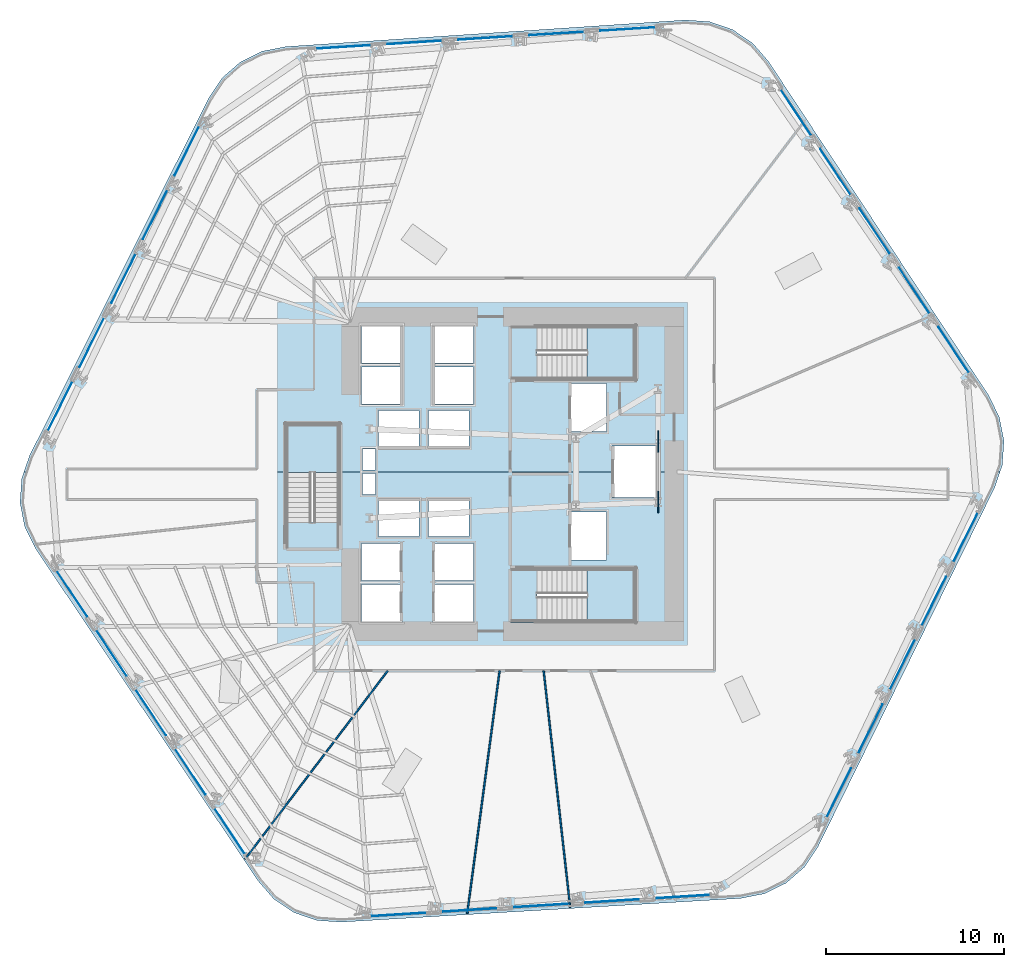
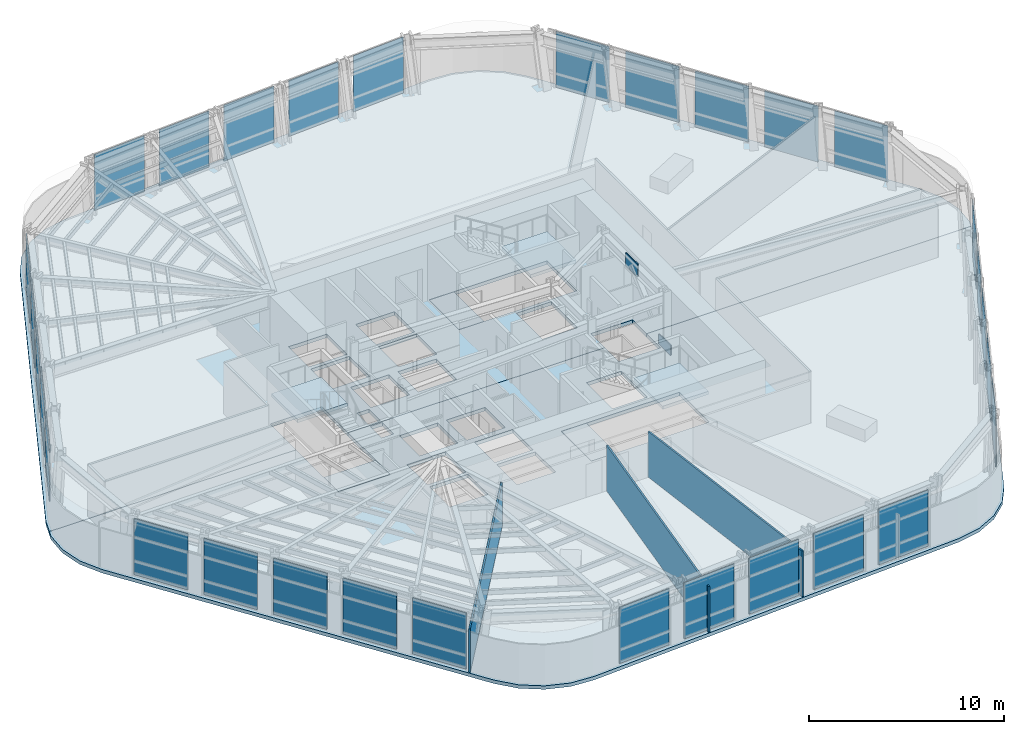
# One storey, part 7 of 15: 32 plates, 8 slabs, 3 walls, 9 elements without a shape of their own.
"""IFC4 building model written with IfcOpenShell, lengths in metres."""

import ifcopenshell
import ifcopenshell.guid

model = None  # the IFC model being written
_history = None  # IfcOwnerHistory: only IFC2X3 demands one
_inside = {}  # id of a spatial element -> (the spatial element, [elements in it])
_under = {}  # id of a project, library or spatial element -> (it, [spatial elements below it])
_declared = {}  # id of a project -> (the project, [libraries it declares])
_typed = {}  # id of a type object -> (the type object, [elements of that type])
_made_of = {}  # id of a material, layer set ... -> (it, [elements and type objects made of it])


def new_model(schema):
    """Start an empty IFC model of exactly this schema.

    Asked for "IFC4X3", IfcOpenShell would pick the latest addendum, in which some entities
    have other attributes; the version numbers below select the first issue.
    IFC2X3 requires an IfcOwnerHistory on every rooted entity: one is made here for all.
    """
    global model, _history
    if schema == "IFC4X3":
        model = ifcopenshell.file(schema_version=(4, 3, 0, 0))
    else:
        model = ifcopenshell.file(schema=schema)
    _inside.clear()
    _under.clear()
    _declared.clear()
    _typed.clear()
    _made_of.clear()
    _history = None
    if model.schema == "IFC2X3":
        org = make("IfcOrganization", Name="unknown")
        user = make(
            "IfcPersonAndOrganization",
            ThePerson=make("IfcPerson", FamilyName="unknown"),
            TheOrganization=org,
        )
        app = make(
            "IfcApplication",
            ApplicationDeveloper=org,
            Version="unknown",
            ApplicationFullName="unknown",
            ApplicationIdentifier="unknown",
        )
        _history = make(
            "IfcOwnerHistory",
            OwningUser=user,
            OwningApplication=app,
            ChangeAction="ADDED",
            CreationDate=0,
        )
    return model


def make(cls, **values):
    """One entity of the class cls with the attributes given. An attribute that is None is left unset."""
    return model.create_entity(
        cls, **{name: value for name, value in values.items() if value is not None}
    )


def rooted(cls, **values):
    """An entity with a GlobalId (a new one), such as an element, a storey or a relation."""
    return make(cls, GlobalId=ifcopenshell.guid.new(), OwnerHistory=_history, **values)


def si_unit(unit_type, name, prefix=None):
    """IfcSIUnit, for example si_unit("LENGTHUNIT", "METRE", prefix="MILLI")."""
    return make("IfcSIUnit", UnitType=unit_type, Prefix=prefix, Name=name)


def assignment(units):
    """IfcUnitAssignment: the units of a project."""
    return None if units is None else make("IfcUnitAssignment", Units=units)


def point(xyz):
    """IfcCartesianPoint."""
    return None if xyz is None else make("IfcCartesianPoint", Coordinates=xyz)


def direction(xyz):
    """IfcDirection."""
    return None if xyz is None else make("IfcDirection", DirectionRatios=xyz)


def frame(location, z_axis=None, x_axis=None):
    """IfcAxis2Placement3D, a coordinate frame: its origin and axes. An axis left out is left unset."""
    return make(
        "IfcAxis2Placement3D",
        Location=point(location),
        Axis=direction(z_axis),
        RefDirection=direction(x_axis),
    )


def frame_2d(location, x_axis=None):
    """IfcAxis2Placement2D, a coordinate frame in the plane: its origin and x axis."""
    return make(
        "IfcAxis2Placement2D", Location=point(location), RefDirection=direction(x_axis)
    )


def origin():
    """The frame at (0, 0, 0) with its axes left unset."""
    return frame((0.0, 0.0, 0.0))


def origin_2d():
    """The frame at (0, 0) in the plane with its x axis left unset."""
    return frame_2d((0.0, 0.0))


def place(relative_to, where):
    """IfcLocalPlacement: puts the frame where relative to a parent placement (None: the world)."""
    return make(
        "IfcLocalPlacement", PlacementRelTo=relative_to, RelativePlacement=where
    )


def context(
    kind, dimensions, precision=None, world=None, true_north=None, identifier=None
):
    """IfcGeometricRepresentationContext, for example the 3D "Model" context."""
    return make(
        "IfcGeometricRepresentationContext",
        ContextIdentifier=identifier,
        ContextType=kind,
        CoordinateSpaceDimension=dimensions,
        Precision=precision,
        WorldCoordinateSystem=world,
        TrueNorth=true_north,
    )


def subcontext(parent, identifier, kind, view, scale=None):
    """IfcGeometricRepresentationSubContext, for example "Body" below "Model"."""
    return make(
        "IfcGeometricRepresentationSubContext",
        ContextIdentifier=identifier,
        ContextType=kind,
        ParentContext=parent,
        TargetScale=scale,
        TargetView=view,
    )


def project(units=None, contexts=None):
    """IfcProject with its units and contexts."""
    return rooted(
        "IfcProject",
        Name="project",
        RepresentationContexts=contexts,
        UnitsInContext=assignment(units),
    )


def spatial(cls, under=None, at=None, **own):
    """A site, building, storey or space (cls), placed at a placement, below another one or the project."""
    s = rooted(cls, ObjectPlacement=at, **own)
    if under is not None:
        _under.setdefault(under.id(), (under, []))[1].append(s)
    return s


def polyline(points):
    """IfcPolyline through the points."""
    return make("IfcPolyline", Points=[point(p) for p in points])


def profile(cls, at=None, kind="AREA", **sizes):
    """A parametric profile (cls). Its sizes go by their IFC names, for example OverallWidth=200.0."""
    return make(cls, ProfileType=kind, Position=at, **sizes)


def rectangle(**sizes):
    """IfcRectangleProfileDef."""
    return profile("IfcRectangleProfileDef", **sizes)


def outline(outer, holes=None, kind="AREA"):
    """IfcArbitraryClosedProfileDef: a profile drawn as a closed curve; with holes, ...WithVoids."""
    if holes is None:
        return make("IfcArbitraryClosedProfileDef", ProfileType=kind, OuterCurve=outer)
    return make(
        "IfcArbitraryProfileDefWithVoids",
        ProfileType=kind,
        OuterCurve=outer,
        InnerCurves=holes,
    )


def extrude(swept, where, along, depth):
    """IfcExtrudedAreaSolid: the profile swept, set in the frame where, extruded along a direction by depth."""
    return make(
        "IfcExtrudedAreaSolid",
        SweptArea=swept,
        Position=where,
        ExtrudedDirection=direction(along),
        Depth=depth,
    )


def shape(context_of_items, identifier, shape_type, items):
    """IfcShapeRepresentation: the items that make up one representation, for example the "Body"."""
    return make(
        "IfcShapeRepresentation",
        ContextOfItems=context_of_items,
        RepresentationIdentifier=identifier,
        RepresentationType=shape_type,
        Items=items,
    )


def material(Name=None, Category=None):
    """IfcMaterial."""
    return make("IfcMaterial", Name=Name, Category=Category)


def layer(
    of_material, thickness, ventilated=None, Name=None, Category=None, Priority=None
):
    """IfcMaterialLayer: one layer of a wall or slab, of a material (None: an air gap)."""
    return make(
        "IfcMaterialLayer",
        Material=of_material,
        LayerThickness=thickness,
        IsVentilated=ventilated,
        Name=Name,
        Category=Category,
        Priority=Priority,
    )


def layer_set(layers, Name=None):
    """IfcMaterialLayerSet."""
    return make("IfcMaterialLayerSet", MaterialLayers=layers, LayerSetName=Name)


def made_of(thing, what):
    """Note that an element or type object is made of a material, layer set ...; save() writes the relation."""
    if what is not None:
        _made_of.setdefault(what.id(), (what, []))[1].append(thing)
    return thing


def type_object(cls, material=None, **own):
    """A type object (cls), such as IfcWallType, which elements share."""
    return made_of(rooted(cls, **own), material)


def element(
    cls,
    number,
    at=None,
    inside=None,
    cuts=None,
    type_object=None,
    material=None,
    context=None,
    identifier="Body",
    shape_type=None,
    held_by="IfcProductDefinitionShape",
    body=None,
    shapes=None,
    **own,
):
    """One element of the class cls, such as IfcWall. Its Tag is "e" and its number.

    at: its placement. inside: the storey or other place that contains it. cuts: it is an
    opening in that element (IfcRelVoidsElement). A single representation is given by context,
    identifier, shape_type and body (its items); several are given by shapes. held_by: the class
    of the entity that holds the representations. save() writes the other relations.
    """
    e = rooted(cls, Tag="e%d" % number, ObjectPlacement=at, **own)
    if body is not None:
        shapes = [shape(context, identifier, shape_type, body)]
    if shapes is not None:
        e.Representation = make(held_by, Representations=shapes)
    if inside is not None:
        _inside.setdefault(inside.id(), (inside, []))[1].append(e)
    if cuts is not None:
        rooted(
            "IfcRelVoidsElement", RelatingBuildingElement=cuts, RelatedOpeningElement=e
        )
    if type_object is not None:
        _typed.setdefault(type_object.id(), (type_object, []))[1].append(e)
    return made_of(e, material)


def aggregate(whole, parts):
    """IfcRelAggregates: a whole, such as a stair, and the parts it consists of."""
    return rooted("IfcRelAggregates", RelatingObject=whole, RelatedObjects=parts)


def save(model, path):
    """Write the relations noted so far, then the file.

    IfcRelAggregates (storeys below a building ...), IfcRelContainedInSpatialStructure (elements
    in a storey), IfcRelDefinesByType, IfcRelAssociatesMaterial and IfcRelDeclares: one each for
    every whole, place, type object, material and project.
    """
    for whole, parts in _under.values():
        aggregate(whole, parts)
    for where, things in _inside.values():
        rooted(
            "IfcRelContainedInSpatialStructure",
            RelatedElements=things,
            RelatingStructure=where,
        )
    for kind, things in _typed.values():
        rooted("IfcRelDefinesByType", RelatedObjects=things, RelatingType=kind)
    for what, things in _made_of.values():
        rooted("IfcRelAssociatesMaterial", RelatedObjects=things, RelatingMaterial=what)
    for by, libraries in _declared.values():
        rooted("IfcRelDeclares", RelatingContext=by, RelatedDefinitions=libraries)
    model.write(path)


model = new_model("IFC4")

# Units and contexts
model_context = context("Model", 3, precision=1e-05, world=origin(), true_north=direction((0.0, 1.0)))
body_context = subcontext(model_context, "Body", "Model", "MODEL_VIEW")
ifc_project = project(units=[si_unit("LENGTHUNIT", "METRE"), si_unit("AREAUNIT", "SQUARE_METRE"), si_unit("VOLUMEUNIT", "CUBIC_METRE"), si_unit("PLANEANGLEUNIT", "RADIAN"), si_unit("MASSUNIT", "GRAM", prefix="KILO")], contexts=[model_context])

# Site, building, storey
site_placement = place(None, origin())
site = spatial("IfcSite", under=ifc_project, at=site_placement, CompositionType="ELEMENT")
building_placement = place(site_placement, origin())
building = spatial("IfcBuilding", under=site, at=building_placement, Name="Valkerne Bourse Tower", CompositionType="ELEMENT")
storey_placement = place(building_placement, frame((0.0, 0.0, 39.199951171875)))
storey = spatial("IfcBuildingStorey", under=building, at=storey_placement, Name="L09", CompositionType="ELEMENT", Elevation=39.199951171875)

# Curtain wall, plates
ifc_material_1 = material(Name="Aluminium AA 6063-T6", Category="aluminium")
ifc_layer_1 = layer(ifc_material_1, 0.22509765625)
ifc_layer_set_1 = layer_set([ifc_layer_1], Name="Aluminium AA 6063-T6")
curtain_wall_type = type_object("IfcCurtainWallType", Name="CW-01", PredefinedType="NOTDEFINED", material=ifc_layer_set_1)
curtain_wall_1_placement = place(storey_placement, origin())
curtain_wall_1 = element("IfcCurtainWall", 1, at=curtain_wall_1_placement, inside=storey, type_object=curtain_wall_type, Name="L09 Hexagonal Stick Curtain Wall Face 1", PredefinedType="NOTDEFINED")
ifc_material_2 = material(Name="Glass IGU Low-E Double Glazed", Category="glass")
ifc_layer_2 = layer(ifc_material_2, 0.031982421875)
ifc_layer_set_2 = layer_set([ifc_layer_2], Name="Glass IGU Low-E Double Glazed")
plate_type_1 = type_object("IfcPlateType", Name="CW-PNL-IGU-32", PredefinedType="CURTAIN_PANEL", material=ifc_layer_set_2)
plate_1_placement = place(storey_placement, frame((71.52294921875, 33.830810546875, 0.030029296875), z_axis=(0.0, 0.0, 1.0), x_axis=(-0.553377022495, 0.832930892076, 0.0)))
plate_1 = element("IfcPlate", 2, at=plate_1_placement, type_object=plate_type_1, Name="CW-L09-F1 Curtain Panel 00", PredefinedType="CURTAIN_PANEL", context=body_context, shape_type="SweptSolid", body=[
    extrude(rectangle(XDim=3.075927734375, YDim=0.031982421875, at=origin_2d()), origin(), (0.0, 0.0, 1.0), 3.52001953125),
])
plate_2_placement = place(storey_placement, frame((69.3115234375, 37.158935546875, 0.030029296875), z_axis=(0.0, 0.0, 1.0), x_axis=(-0.553405918649, 0.832911693521, 0.0)))
plate_2 = element("IfcPlate", 3, at=plate_2_placement, type_object=plate_type_1, Name="CW-L09-F1 Curtain Panel 01", PredefinedType="CURTAIN_PANEL", context=body_context, shape_type="SweptSolid", body=[
    extrude(rectangle(XDim=3.075927734375, YDim=0.031982421875, at=origin_2d()), origin(), (0.0, 0.0, 1.0), 3.52001953125),
])
plate_3_placement = place(storey_placement, frame((67.10009765625, 40.4873046875, 0.030029296875), z_axis=(0.0, 0.0, 1.0), x_axis=(-0.553377022495, 0.832930892076, 0.0)))
plate_3 = element("IfcPlate", 4, at=plate_3_placement, type_object=plate_type_1, Name="CW-L09-F1 Curtain Panel 02", PredefinedType="CURTAIN_PANEL", context=body_context, shape_type="SweptSolid", body=[
    extrude(rectangle(XDim=3.075927734375, YDim=0.031982421875, at=origin_2d()), origin(), (0.0, 0.0, 1.0), 3.52001953125),
])
plate_4_placement = place(storey_placement, frame((64.888916015625, 43.815673828125, 0.030029296875), z_axis=(0.0, 0.0, 1.0), x_axis=(-0.553405918649, 0.832911693521, 0.0)))
plate_4 = element("IfcPlate", 5, at=plate_4_placement, type_object=plate_type_1, Name="CW-L09-F1 Curtain Panel 03", PredefinedType="CURTAIN_PANEL", context=body_context, shape_type="SweptSolid", body=[
    extrude(rectangle(XDim=3.075927734375, YDim=0.031982421875, at=origin_2d()), origin(), (0.0, 0.0, 1.0), 3.52001953125),
])
plate_5_placement = place(storey_placement, frame((62.677490234375, 47.14404296875, 0.030029296875), z_axis=(0.0, 0.0, 1.0), x_axis=(-0.553377022495, 0.832930892076, 0.0)))
plate_5 = element("IfcPlate", 6, at=plate_5_placement, type_object=plate_type_1, Name="CW-L09-F1 Curtain Panel 04", PredefinedType="CURTAIN_PANEL", context=body_context, shape_type="SweptSolid", body=[
    extrude(rectangle(XDim=3.075927734375, YDim=0.031982421875, at=origin_2d()), origin(), (0.0, 0.0, 1.0), 3.52001953125),
])
aggregate(curtain_wall_1, [plate_1, plate_2, plate_3, plate_4, plate_5])

curtain_wall_2_placement = place(storey_placement, origin())
curtain_wall_2 = element("IfcCurtainWall", 7, at=curtain_wall_2_placement, inside=storey, type_object=curtain_wall_type, Name="L09 Hexagonal Stick Curtain Wall Face 2", PredefinedType="NOTDEFINED")
plate_6_placement = place(storey_placement, frame((53.245849609375, 51.825927734375, 0.030029296875), z_axis=(0.0, 0.0, 1.0), x_axis=(-0.998025316519, -0.062812957155, 0.0)))
plate_6 = element("IfcPlate", 8, at=plate_6_placement, type_object=plate_type_1, Name="CW-L09-F2 Curtain Panel 00", PredefinedType="CURTAIN_PANEL", context=body_context, shape_type="SweptSolid", body=[
    extrude(rectangle(XDim=3.075927734375, YDim=0.031982421875, at=origin_2d()), origin(), (0.0, 0.0, 1.0), 3.52001953125),
])
plate_7_placement = place(storey_placement, frame((49.2578125, 51.574951171875, 0.030029296875), z_axis=(0.0, 0.0, 1.0), x_axis=(-0.998026885005, -0.062788030758, 0.0)))
plate_7 = element("IfcPlate", 9, at=plate_7_placement, type_object=plate_type_1, Name="CW-L09-F2 Curtain Panel 01", PredefinedType="CURTAIN_PANEL", context=body_context, shape_type="SweptSolid", body=[
    extrude(rectangle(XDim=3.075927734375, YDim=0.031982421875, at=origin_2d()), origin(), (0.0, 0.0, 1.0), 3.52001953125),
])
plate_8_placement = place(storey_placement, frame((45.26953125, 51.32421875, 0.030029296875), z_axis=(0.0, 0.0, 1.0), x_axis=(-0.99802698366, -0.062786462608, 0.0)))
plate_8 = element("IfcPlate", 10, at=plate_8_placement, type_object=plate_type_1, Name="CW-L09-F2 Curtain Panel 02", PredefinedType="CURTAIN_PANEL", context=body_context, shape_type="SweptSolid", body=[
    extrude(rectangle(XDim=3.076171875, YDim=0.031982421875, at=origin_2d()), origin(), (0.0, 0.0, 1.0), 3.52001953125),
])
plate_9_placement = place(storey_placement, frame((41.281494140625, 51.0732421875, 0.030029296875), z_axis=(0.0, 0.0, 1.0), x_axis=(-0.998026885005, -0.062788030758, 0.0)))
plate_9 = element("IfcPlate", 11, at=plate_9_placement, type_object=plate_type_1, Name="CW-L09-F2 Curtain Panel 03", PredefinedType="CURTAIN_PANEL", context=body_context, shape_type="SweptSolid", body=[
    extrude(rectangle(XDim=3.075927734375, YDim=0.031982421875, at=origin_2d()), origin(), (0.0, 0.0, 1.0), 3.52001953125),
])
plate_10_placement = place(storey_placement, frame((37.29345703125, 50.822265625, 0.030029296875), z_axis=(0.0, 0.0, 1.0), x_axis=(-0.998026885005, -0.062788030758, 0.0)))
plate_10 = element("IfcPlate", 12, at=plate_10_placement, type_object=plate_type_1, Name="CW-L09-F2 Curtain Panel 04", PredefinedType="CURTAIN_PANEL", context=body_context, shape_type="SweptSolid", body=[
    extrude(rectangle(XDim=3.075927734375, YDim=0.031982421875, at=origin_2d()), origin(), (0.0, 0.0, 1.0), 3.52001953125),
])
aggregate(curtain_wall_2, [plate_6, plate_7, plate_8, plate_9, plate_10])

curtain_wall_3_placement = place(storey_placement, origin())
curtain_wall_3 = element("IfcCurtainWall", 13, at=curtain_wall_3_placement, inside=storey, type_object=curtain_wall_type, Name="L09 Hexagonal Stick Curtain Wall Face 3", PredefinedType="NOTDEFINED")
plate_11_placement = place(storey_placement, frame((28.52294921875, 44.995361328125, 0.030029296875), z_axis=(0.0, 0.0, 1.0), x_axis=(-0.444649171351, -0.895704814332, 0.0)))
plate_11 = element("IfcPlate", 14, at=plate_11_placement, type_object=plate_type_1, Name="CW-L09-F3 Curtain Panel 00", PredefinedType="CURTAIN_PANEL", context=body_context, shape_type="SweptSolid", body=[
    extrude(rectangle(XDim=3.075927734375, YDim=0.031982421875, at=origin_2d()), origin(), (0.0, 0.0, 1.0), 3.52001953125),
])
plate_12_placement = place(storey_placement, frame((26.746337890625, 41.416015625, 0.030029296875), z_axis=(0.0, 0.0, 1.0), x_axis=(-0.444619127058, -0.895719728405, 0.0)))
plate_12 = element("IfcPlate", 15, at=plate_12_placement, type_object=plate_type_1, Name="CW-L09-F3 Curtain Panel 01", PredefinedType="CURTAIN_PANEL", context=body_context, shape_type="SweptSolid", body=[
    extrude(rectangle(XDim=3.075927734375, YDim=0.031982421875, at=origin_2d()), origin(), (0.0, 0.0, 1.0), 3.52001953125),
])
plate_13_placement = place(storey_placement, frame((24.969482421875, 37.836669921875, 0.030029296875), z_axis=(0.0, 0.0, 1.0), x_axis=(-0.444639204615, -0.895709761987, 0.0)))
plate_13 = element("IfcPlate", 16, at=plate_13_placement, type_object=plate_type_1, Name="CW-L09-F3 Curtain Panel 02", PredefinedType="CURTAIN_PANEL", context=body_context, shape_type="SweptSolid", body=[
    extrude(rectangle(XDim=3.075927734375, YDim=0.031982421875, at=origin_2d()), origin(), (0.0, 0.0, 1.0), 3.52001953125),
])
plate_14_placement = place(storey_placement, frame((23.19287109375, 34.257568359375, 0.030029296875), z_axis=(0.0, 0.0, 1.0), x_axis=(-0.444649171351, -0.895704814332, 0.0)))
plate_14 = element("IfcPlate", 17, at=plate_14_placement, type_object=plate_type_1, Name="CW-L09-F3 Curtain Panel 03", PredefinedType="CURTAIN_PANEL", context=body_context, shape_type="SweptSolid", body=[
    extrude(rectangle(XDim=3.075927734375, YDim=0.031982421875, at=origin_2d()), origin(), (0.0, 0.0, 1.0), 3.52001953125),
])
plate_15_placement = place(storey_placement, frame((21.416015625, 30.67822265625, 0.030029296875), z_axis=(0.0, 0.0, 1.0), x_axis=(-0.444619127058, -0.895719728405, 0.0)))
plate_15 = element("IfcPlate", 18, at=plate_15_placement, type_object=plate_type_1, Name="CW-L09-F3 Curtain Panel 04", PredefinedType="CURTAIN_PANEL", context=body_context, shape_type="SweptSolid", body=[
    extrude(rectangle(XDim=3.075927734375, YDim=0.031982421875, at=origin_2d()), origin(), (0.0, 0.0, 1.0), 3.52001953125),
])
aggregate(curtain_wall_3, [plate_11, plate_12, plate_13, plate_14, plate_15])

curtain_wall_4_placement = place(storey_placement, origin())
curtain_wall_4 = element("IfcCurtainWall", 19, at=curtain_wall_4_placement, inside=storey, type_object=curtain_wall_type, Name="L09 Hexagonal Stick Curtain Wall Face 4", PredefinedType="NOTDEFINED")
plate_16_placement = place(storey_placement, frame((22.0771484375, 20.16943359375, 0.030029296875), z_axis=(0.0, 0.0, 1.0), x_axis=(0.553377022495, -0.832930892076, 0.0)))
plate_16 = element("IfcPlate", 20, at=plate_16_placement, type_object=plate_type_1, Name="CW-L09-F4 Curtain Panel 00", PredefinedType="CURTAIN_PANEL", context=body_context, shape_type="SweptSolid", body=[
    extrude(rectangle(XDim=3.075927734375, YDim=0.031982421875, at=origin_2d()), origin(), (0.0, 0.0, 1.0), 3.52001953125),
])
plate_17_placement = place(storey_placement, frame((24.28857421875, 16.841064453125, 0.030029296875), z_axis=(0.0, 0.0, 1.0), x_axis=(0.553405918649, -0.832911693521, 0.0)))
plate_17 = element("IfcPlate", 21, at=plate_17_placement, type_object=plate_type_1, Name="CW-L09-F4 Curtain Panel 01", PredefinedType="CURTAIN_PANEL", context=body_context, shape_type="SweptSolid", body=[
    extrude(rectangle(XDim=3.075927734375, YDim=0.031982421875, at=origin_2d()), origin(), (0.0, 0.0, 1.0), 3.52001953125),
])
plate_18_placement = place(storey_placement, frame((26.5, 13.5126953125, 0.030029296875), z_axis=(0.0, 0.0, 1.0), x_axis=(0.553377022495, -0.832930892076, 0.0)))
plate_18 = element("IfcPlate", 22, at=plate_18_placement, type_object=plate_type_1, Name="CW-L09-F4 Curtain Panel 02", PredefinedType="CURTAIN_PANEL", context=body_context, shape_type="SweptSolid", body=[
    extrude(rectangle(XDim=3.075927734375, YDim=0.031982421875, at=origin_2d()), origin(), (0.0, 0.0, 1.0), 3.52001953125),
])
plate_19_placement = place(storey_placement, frame((28.711181640625, 10.184326171875, 0.030029296875), z_axis=(0.0, 0.0, 1.0), x_axis=(0.553405918649, -0.832911693521, 0.0)))
plate_19 = element("IfcPlate", 23, at=plate_19_placement, type_object=plate_type_1, Name="CW-L09-F4 Curtain Panel 03", PredefinedType="CURTAIN_PANEL", context=body_context, shape_type="SweptSolid", body=[
    extrude(rectangle(XDim=3.075927734375, YDim=0.031982421875, at=origin_2d()), origin(), (0.0, 0.0, 1.0), 3.52001953125),
])
plate_20_placement = place(storey_placement, frame((30.922607421875, 6.85595703125, 0.030029296875), z_axis=(0.0, 0.0, 1.0), x_axis=(0.553377022495, -0.832930892076, 0.0)))
plate_20 = element("IfcPlate", 24, at=plate_20_placement, type_object=plate_type_1, Name="CW-L09-F4 Curtain Panel 04", PredefinedType="CURTAIN_PANEL", context=body_context, shape_type="SweptSolid", body=[
    extrude(rectangle(XDim=3.075927734375, YDim=0.031982421875, at=origin_2d()), origin(), (0.0, 0.0, 1.0), 3.52001953125),
])
aggregate(curtain_wall_4, [plate_16, plate_17, plate_18, plate_19, plate_20])

curtain_wall_5_placement = place(storey_placement, origin())
curtain_wall_5 = element("IfcCurtainWall", 25, at=curtain_wall_5_placement, inside=storey, type_object=curtain_wall_type, Name="L09 Hexagonal Stick Curtain Wall Face 5", PredefinedType="NOTDEFINED")
plate_21_placement = place(storey_placement, frame((40.35400390625, 2.174072265625, 0.030029296875), z_axis=(0.0, 0.0, 1.0), x_axis=(0.998025316519, 0.062812957155, 0.0)))
plate_21 = element("IfcPlate", 26, at=plate_21_placement, type_object=plate_type_1, Name="CW-L09-F5 Curtain Panel 00", PredefinedType="CURTAIN_PANEL", context=body_context, shape_type="SweptSolid", body=[
    extrude(rectangle(XDim=3.075927734375, YDim=0.031982421875, at=origin_2d()), origin(), (0.0, 0.0, 1.0), 3.52001953125),
])
plate_22_placement = place(storey_placement, frame((44.34228515625, 2.425048828125, 0.030029296875), z_axis=(0.0, 0.0, 1.0), x_axis=(0.998026885005, 0.062788030758, 0.0)))
plate_22 = element("IfcPlate", 27, at=plate_22_placement, type_object=plate_type_1, Name="CW-L09-F5 Curtain Panel 01", PredefinedType="CURTAIN_PANEL", context=body_context, shape_type="SweptSolid", body=[
    extrude(rectangle(XDim=3.075927734375, YDim=0.031982421875, at=origin_2d()), origin(), (0.0, 0.0, 1.0), 3.52001953125),
])
plate_23_placement = place(storey_placement, frame((48.330322265625, 2.67578125, 0.030029296875), z_axis=(0.0, 0.0, 1.0), x_axis=(0.99802698366, 0.062786462608, 0.0)))
plate_23 = element("IfcPlate", 28, at=plate_23_placement, type_object=plate_type_1, Name="CW-L09-F5 Curtain Panel 02", PredefinedType="CURTAIN_PANEL", context=body_context, shape_type="SweptSolid", body=[
    extrude(rectangle(XDim=3.076171875, YDim=0.031982421875, at=origin_2d()), origin(), (0.0, 0.0, 1.0), 3.52001953125),
])
plate_24_placement = place(storey_placement, frame((52.318603515625, 2.9267578125, 0.030029296875), z_axis=(0.0, 0.0, 1.0), x_axis=(0.998026885005, 0.062788030758, 0.0)))
plate_24 = element("IfcPlate", 29, at=plate_24_placement, type_object=plate_type_1, Name="CW-L09-F5 Curtain Panel 03", PredefinedType="CURTAIN_PANEL", context=body_context, shape_type="SweptSolid", body=[
    extrude(rectangle(XDim=3.075927734375, YDim=0.031982421875, at=origin_2d()), origin(), (0.0, 0.0, 1.0), 3.52001953125),
])
plate_25_placement = place(storey_placement, frame((56.306640625, 3.177734375, 0.030029296875), z_axis=(0.0, 0.0, 1.0), x_axis=(0.998026885005, 0.062788030758, 0.0)))
plate_25 = element("IfcPlate", 30, at=plate_25_placement, type_object=plate_type_1, Name="CW-L09-F5 Curtain Panel 04", PredefinedType="CURTAIN_PANEL", context=body_context, shape_type="SweptSolid", body=[
    extrude(rectangle(XDim=3.075927734375, YDim=0.031982421875, at=origin_2d()), origin(), (0.0, 0.0, 1.0), 3.52001953125),
])
aggregate(curtain_wall_5, [plate_21, plate_22, plate_23, plate_24, plate_25])

curtain_wall_6_placement = place(storey_placement, origin())
curtain_wall_6 = element("IfcCurtainWall", 31, at=curtain_wall_6_placement, inside=storey, type_object=curtain_wall_type, Name="L09 Hexagonal Stick Curtain Wall Face 6", PredefinedType="NOTDEFINED")
plate_26_placement = place(storey_placement, frame((65.076904296875, 9.004638671875, 0.030029296875), z_axis=(0.0, 0.0, 1.0), x_axis=(0.444649171351, 0.895704814332, 0.0)))
plate_26 = element("IfcPlate", 32, at=plate_26_placement, type_object=plate_type_1, Name="CW-L09-F6 Curtain Panel 00", PredefinedType="CURTAIN_PANEL", context=body_context, shape_type="SweptSolid", body=[
    extrude(rectangle(XDim=3.075927734375, YDim=0.031982421875, at=origin_2d()), origin(), (0.0, 0.0, 1.0), 3.52001953125),
])
plate_27_placement = place(storey_placement, frame((66.853759765625, 12.583984375, 0.030029296875), z_axis=(0.0, 0.0, 1.0), x_axis=(0.444619127058, 0.895719728405, 0.0)))
plate_27 = element("IfcPlate", 33, at=plate_27_placement, type_object=plate_type_1, Name="CW-L09-F6 Curtain Panel 01", PredefinedType="CURTAIN_PANEL", context=body_context, shape_type="SweptSolid", body=[
    extrude(rectangle(XDim=3.075927734375, YDim=0.031982421875, at=origin_2d()), origin(), (0.0, 0.0, 1.0), 3.52001953125),
])
plate_28_placement = place(storey_placement, frame((68.63037109375, 16.1630859375, 0.030029296875), z_axis=(0.0, 0.0, 1.0), x_axis=(0.444639204615, 0.895709761987, 0.0)))
plate_28 = element("IfcPlate", 34, at=plate_28_placement, type_object=plate_type_1, Name="CW-L09-F6 Curtain Panel 02", PredefinedType="CURTAIN_PANEL", context=body_context, shape_type="SweptSolid", body=[
    extrude(rectangle(XDim=3.075927734375, YDim=0.031982421875, at=origin_2d()), origin(), (0.0, 0.0, 1.0), 3.52001953125),
])
plate_29_placement = place(storey_placement, frame((70.4072265625, 19.742431640625, 0.030029296875), z_axis=(0.0, 0.0, 1.0), x_axis=(0.444649171351, 0.895704814332, 0.0)))
plate_29 = element("IfcPlate", 35, at=plate_29_placement, type_object=plate_type_1, Name="CW-L09-F6 Curtain Panel 03", PredefinedType="CURTAIN_PANEL", context=body_context, shape_type="SweptSolid", body=[
    extrude(rectangle(XDim=3.075927734375, YDim=0.031982421875, at=origin_2d()), origin(), (0.0, 0.0, 1.0), 3.52001953125),
])
plate_30_placement = place(storey_placement, frame((72.18408203125, 23.32177734375, 0.030029296875), z_axis=(0.0, 0.0, 1.0), x_axis=(0.444619127058, 0.895719728405, 0.0)))
plate_30 = element("IfcPlate", 36, at=plate_30_placement, type_object=plate_type_1, Name="CW-L09-F6 Curtain Panel 04", PredefinedType="CURTAIN_PANEL", context=body_context, shape_type="SweptSolid", body=[
    extrude(rectangle(XDim=3.075927734375, YDim=0.031982421875, at=origin_2d()), origin(), (0.0, 0.0, 1.0), 3.52001953125),
])
aggregate(curtain_wall_6, [plate_26, plate_27, plate_28, plate_29, plate_30])

# Plates
ifc_material_3 = material(Name="Steel ASTM A572 Grade 50", Category="steel")
ifc_layer_3 = layer(ifc_material_3, 0.06005859375)
ifc_layer_set_3 = layer_set([ifc_layer_3], Name="Steel ASTM A572 Grade 50")
plate_type_2 = type_object("IfcPlateType", Name="PLT-GUS-60", PredefinedType="SHEET", material=ifc_layer_set_3)
for number, where, z_axis, x_axis, name in (
    (37, (54.949951171875, 25.300048828125, -0.18017578125), (0.0, 0.0, 1.0), (0.0, 1.0, 0.0), "L09 Brace Node Gusset Plate PLT-GUS-END-L09-334"),
    (38, (54.949951171875, 28.699951171875, 2.8740234375), (0.0, 0.0, 1.0), (0.0, 1.0, 0.0), "L09 Brace Node Gusset Plate PLT-GUS-END-L09-335"),
):
    element("IfcPlate", number, at=place(storey_placement, frame(where, z_axis=z_axis, x_axis=x_axis)), inside=storey, type_object=plate_type_2, Name=name, PredefinedType="SHEET", context=body_context, shape_type="SweptSolid", body=[
        extrude(rectangle(XDim=1.199951171875, YDim=0.06005859375, at=origin_2d()), origin(), (0.0, 0.0, 1.0), 0.800048828125),
    ])

# Slabs
ifc_material_4 = material(Name="Concrete C40/50", Category="concrete")
ifc_layer_4 = layer(ifc_material_4, 0.25)
ifc_layer_set_4 = layer_set([ifc_layer_4], Name="Concrete C40/50")
slab_type_1 = type_object("IfcSlabType", Name="SLB-RMP-LND-250", PredefinedType="LANDING", material=ifc_layer_set_4)
slab_1_placement = place(storey_placement, frame((0.0, 0.0, -0.219970703125)))
element("IfcSlab", 39, at=slab_1_placement, inside=storey, type_object=slab_type_1, Name="L09 ST-1 Floor Landing Slab", PredefinedType="LANDING", context=body_context, shape_type="SweptSolid", body=[
    extrude(outline(polyline([(46.669921875, 18.5400390625), (48.14990234375, 18.5400390625), (48.14990234375, 21.610107421875), (46.669921875, 21.610107421875), (46.669921875, 18.5400390625)])), origin(), (0.0, 0.0, 1.0), 0.219970703125),
])
slab_2_placement = place(storey_placement, frame((0.0, 0.0, -0.219970703125)))
element("IfcSlab", 40, at=slab_2_placement, inside=storey, type_object=slab_type_1, Name="L09 ST-2 Floor Landing Slab", PredefinedType="LANDING", context=body_context, shape_type="SweptSolid", body=[
    extrude(outline(polyline([(46.669921875, 32.139892578125), (48.14990234375, 32.139892578125), (48.14990234375, 35.2099609375), (46.669921875, 35.2099609375), (46.669921875, 32.139892578125)])), origin(), (0.0, 0.0, 1.0), 0.219970703125),
])
slab_3_placement = place(storey_placement, frame((0.0, 0.0, -0.219970703125)))
element("IfcSlab", 41, at=slab_3_placement, inside=storey, type_object=slab_type_1, Name="L09 ST-3 Floor Landing Slab", PredefinedType="LANDING", context=body_context, shape_type="SweptSolid", body=[
    extrude(outline(polyline([(37.110107421875, 22.669921875), (37.110107421875, 24.14990234375), (34.0400390625, 24.14990234375), (34.0400390625, 22.669921875), (37.110107421875, 22.669921875)])), origin(), (0.0, 0.0, 1.0), 0.219970703125),
])

# Stair, slab
stair_type = type_object("IfcStairType", Name="ST-CORE-1400", PredefinedType="HALF_TURN_STAIR", material=ifc_material_4)
stair_1_placement = place(storey_placement, origin())
stair_1 = element("IfcStair", 42, at=stair_1_placement, inside=storey, type_object=stair_type, Name="L09 ST-1", PredefinedType="HALF_TURN_STAIR")
ifc_layer_5 = layer(ifc_material_4, 0.179931640625)
ifc_layer_set_5 = layer_set([ifc_layer_5], Name="Concrete C40/50")
slab_type_2 = type_object("IfcSlabType", Name="SLB-ST-LND-180", PredefinedType="LANDING", material=ifc_layer_set_5)
slab_4_placement = place(storey_placement, frame((0.0, 0.0, 1.699951171875)))
slab_4 = element("IfcSlab", 43, at=slab_4_placement, type_object=slab_type_2, Name="ST-1 landing 1", PredefinedType="LANDING", context=body_context, shape_type="SweptSolid", body=[
    extrude(outline(polyline([(50.949951171875, 18.60009765625), (53.64990234375, 18.60009765625), (53.64990234375, 21.550048828125), (50.949951171875, 21.550048828125), (50.949951171875, 18.60009765625)])), origin(), (0.0, 0.0, 1.0), 0.2001953125),
])
aggregate(stair_1, [slab_4])

stair_2_placement = place(storey_placement, origin())
stair_2 = element("IfcStair", 44, at=stair_2_placement, inside=storey, type_object=stair_type, Name="L09 ST-2", PredefinedType="HALF_TURN_STAIR")
slab_5_placement = place(storey_placement, frame((0.0, 0.0, 1.699951171875)))
slab_5 = element("IfcSlab", 45, at=slab_5_placement, type_object=slab_type_2, Name="ST-2 landing 1", PredefinedType="LANDING", context=body_context, shape_type="SweptSolid", body=[
    extrude(outline(polyline([(50.949951171875, 32.199951171875), (53.64990234375, 32.199951171875), (53.64990234375, 35.14990234375), (50.949951171875, 35.14990234375), (50.949951171875, 32.199951171875)])), origin(), (0.0, 0.0, 1.0), 0.2001953125),
])
aggregate(stair_2, [slab_5])

stair_3_placement = place(storey_placement, origin())
stair_3 = element("IfcStair", 46, at=stair_3_placement, inside=storey, type_object=stair_type, Name="L09 ST-3", PredefinedType="HALF_TURN_STAIR")
slab_6_placement = place(storey_placement, frame((0.0, 0.0, 1.699951171875)))
slab_6 = element("IfcSlab", 47, at=slab_6_placement, type_object=slab_type_2, Name="ST-3 landing 1", PredefinedType="LANDING", context=body_context, shape_type="SweptSolid", body=[
    extrude(outline(polyline([(37.050048828125, 26.949951171875), (37.050048828125, 29.64990234375), (34.10009765625, 29.64990234375), (34.10009765625, 26.949951171875), (37.050048828125, 26.949951171875)])), origin(), (0.0, 0.0, 1.0), 0.2001953125),
])
aggregate(stair_3, [slab_6])

# Slabs
ifc_layer_6 = layer(ifc_material_4, 0.219970703125)
ifc_layer_set_6 = layer_set([ifc_layer_6], Name="Concrete C40/50")
slab_type_3 = type_object("IfcSlabType", Name="SLB-TOW-220", PredefinedType="FLOOR", material=ifc_layer_set_6)
slab_7_placement = place(storey_placement, frame((0.0, 0.0, -0.219970703125)))
element("IfcSlab", 48, at=slab_7_placement, inside=storey, type_object=slab_type_3, Name="L09 Hexagonal Composite Floor Slab S", PredefinedType="FLOOR", context=body_context, shape_type="SweptSolid", body=[
    extrude(outline(polyline([(63.145751953125, 4.82958984375), (62.122802734375, 3.9375), (60.90380859375, 3.340087890625), (59.57177734375, 3.078857421875), (37.168701171875, 1.750244140625), (35.814208984375, 1.842529296875), (34.530029296875, 2.2822265625), (33.4033203125, 3.03955078125), (32.510986328125, 4.0625), (20.0244140625, 22.710205078125), (19.427001953125, 23.92919921875), (19.165771484375, 25.261474609375), (19.258056640625, 26.61572265625), (19.3896484375, 27.0), (34.034912109375, 27.0), (34.034912109375, 22.6650390625), (37.114990234375, 22.6650390625), (37.114990234375, 27.0), (52.360107421875, 27.0), (52.360107421875, 25.56005859375), (54.840087890625, 25.56005859375), (54.840087890625, 27.0), (74.119140625, 27.0), (73.80908203125, 26.093994140625), (63.90283203125, 5.95654296875), (63.145751953125, 4.82958984375)]), holes=[polyline([(40.590087890625, 20.68994140625), (38.31005859375, 20.68994140625), (38.31005859375, 18.610107421875), (40.590087890625, 18.610107421875), (40.590087890625, 20.68994140625)]), polyline([(40.590087890625, 22.989990234375), (38.31005859375, 22.989990234375), (38.31005859375, 20.909912109375), (40.590087890625, 20.909912109375), (40.590087890625, 22.989990234375)]), polyline([(41.5400390625, 25.43994140625), (39.260009765625, 25.43994140625), (39.260009765625, 23.360107421875), (41.5400390625, 23.360107421875), (41.5400390625, 25.43994140625)]), polyline([(39.10009765625, 25.72998046875), (39.10009765625, 26.89990234375), (38.3798828125, 26.89990234375), (38.3798828125, 25.72998046875), (39.10009765625, 25.72998046875)]), polyline([(44.590087890625, 20.68994140625), (42.31005859375, 20.68994140625), (42.31005859375, 18.610107421875), (44.590087890625, 18.610107421875), (44.590087890625, 20.68994140625)]), polyline([(53.675048828125, 21.614990234375), (46.6650390625, 21.614990234375), (46.6650390625, 18.534912109375), (53.675048828125, 18.534912109375), (53.675048828125, 21.614990234375)]), polyline([(44.590087890625, 22.989990234375), (42.31005859375, 22.989990234375), (42.31005859375, 20.909912109375), (44.590087890625, 20.909912109375), (44.590087890625, 22.989990234375)]), polyline([(52.0400390625, 22.06005859375), (52.0400390625, 24.739990234375), (49.9599609375, 24.739990234375), (49.9599609375, 22.06005859375), (52.0400390625, 22.06005859375)]), polyline([(44.340087890625, 23.360107421875), (44.340087890625, 25.43994140625), (42.06005859375, 25.43994140625), (42.06005859375, 23.360107421875), (44.340087890625, 23.360107421875)])]), origin(), (0.0, 0.0, 1.0), 0.219970703125),
])
slab_8_placement = place(storey_placement, frame((0.0, 0.0, -0.219970703125)))
element("IfcSlab", 49, at=slab_8_placement, inside=storey, type_object=slab_type_3, Name="L09 Hexagonal Composite Floor Slab N", PredefinedType="FLOOR", context=body_context, shape_type="SweptSolid", body=[
    extrude(outline(polyline([(19.69775390625, 27.89990234375), (29.748779296875, 47.9658203125), (30.505859375, 49.092529296875), (31.52880859375, 49.98486328125), (32.747802734375, 50.58203125), (34.080078125, 50.843505859375), (56.472900390625, 52.333251953125), (57.8271484375, 52.240966796875), (59.111328125, 51.80126953125), (60.23828125, 51.044189453125), (61.130615234375, 50.021240234375), (73.482666015625, 31.283935546875), (74.079833984375, 30.064697265625), (74.341064453125, 28.732666015625), (74.248779296875, 27.37841796875), (74.119140625, 27.0), (54.840087890625, 27.0), (54.840087890625, 28.43994140625), (52.360107421875, 28.43994140625), (52.360107421875, 27.0), (37.114990234375, 27.0), (37.114990234375, 29.675048828125), (34.034912109375, 29.675048828125), (34.034912109375, 27.0), (19.3896484375, 27.0), (19.69775390625, 27.89990234375)]), holes=[polyline([(39.10009765625, 28.27001953125), (38.3798828125, 28.27001953125), (38.3798828125, 27.10009765625), (39.10009765625, 27.10009765625), (39.10009765625, 28.27001953125)]), polyline([(41.5400390625, 30.43994140625), (39.260009765625, 30.43994140625), (39.260009765625, 28.360107421875), (41.5400390625, 28.360107421875), (41.5400390625, 30.43994140625)]), polyline([(44.340087890625, 30.43994140625), (42.06005859375, 30.43994140625), (42.06005859375, 28.360107421875), (44.340087890625, 28.360107421875), (44.340087890625, 30.43994140625)]), polyline([(40.590087890625, 30.81005859375), (40.590087890625, 32.889892578125), (38.31005859375, 32.889892578125), (38.31005859375, 30.81005859375), (40.590087890625, 30.81005859375)]), polyline([(40.590087890625, 33.110107421875), (40.590087890625, 35.18994140625), (38.31005859375, 35.18994140625), (38.31005859375, 33.110107421875), (40.590087890625, 33.110107421875)]), polyline([(52.0400390625, 31.93994140625), (49.9599609375, 31.93994140625), (49.9599609375, 29.260009765625), (52.0400390625, 29.260009765625), (52.0400390625, 31.93994140625)]), polyline([(44.590087890625, 32.889892578125), (42.31005859375, 32.889892578125), (42.31005859375, 30.81005859375), (44.590087890625, 30.81005859375), (44.590087890625, 32.889892578125)]), polyline([(53.675048828125, 32.135009765625), (53.675048828125, 35.215087890625), (46.6650390625, 35.215087890625), (46.6650390625, 32.135009765625), (53.675048828125, 32.135009765625)]), polyline([(44.590087890625, 33.110107421875), (44.590087890625, 35.18994140625), (42.31005859375, 35.18994140625), (42.31005859375, 33.110107421875), (44.590087890625, 33.110107421875)])]), origin(), (0.0, 0.0, 1.0), 0.219970703125),
])

# Walls
ifc_material_5 = material(Name="Gypsum Board Steel-Stud Partition", Category="steel")
ifc_layer_7 = layer(ifc_material_5, 0.092041015625)
ifc_layer_set_7 = layer_set([ifc_layer_7], Name="Gypsum Board Steel-Stud Partition")
wall_type = type_object("IfcWallType", Name="W-PART-115", PredefinedType="PARTITIONING", material=ifc_layer_set_7)
wall_1_placement = place(storey_placement, frame((46.058349609375, 15.844970703125, 0.0), z_axis=(0.0, 0.0, 1.0), x_axis=(-0.132248772541, -0.991216556642, 0.0)))
element("IfcWall", 50, at=wall_1_placement, inside=storey, type_object=wall_type, Name="L09 Suite Partition P01", PredefinedType="PARTITIONING", context=body_context, shape_type="SweptSolid", body=[
    extrude(rectangle(XDim=13.7255859375, YDim=0.092041015625, at=frame_2d((6.86279296875, 0.0))), origin(), (0.0, 0.0, 1.0), 2.864013671875),
])
wall_2_placement = place(storey_placement, frame((48.52783203125, 15.844970703125, 0.0), z_axis=(0.0, 0.0, 1.0), x_axis=(0.111461472453, -0.993768755878, 0.0)))
element("IfcWall", 51, at=wall_2_placement, inside=storey, type_object=wall_type, Name="L09 Suite Partition P02", PredefinedType="PARTITIONING", context=body_context, shape_type="SweptSolid", body=[
    extrude(rectangle(XDim=13.345947265625, YDim=0.092041015625, at=frame_2d((6.6728515625, 0.0))), origin(), (0.0, 0.0, 1.0), 2.864013671875),
])
wall_3_placement = place(storey_placement, frame((39.78662109375, 15.844970703125, 0.0), z_axis=(0.0, 0.0, 1.0), x_axis=(-0.603664801318, -0.797238237699, 0.0)))
element("IfcWall", 52, at=wall_3_placement, inside=storey, type_object=wall_type, Name="L09 Suite Partition P07", PredefinedType="PARTITIONING", context=body_context, shape_type="SweptSolid", body=[
    extrude(rectangle(XDim=13.258056640625, YDim=0.092041015625, at=frame_2d((6.62890625, 0.0))), origin(), (0.0, 0.0, 1.0), 2.711669921875),
])

save(model, "model.ifc")
